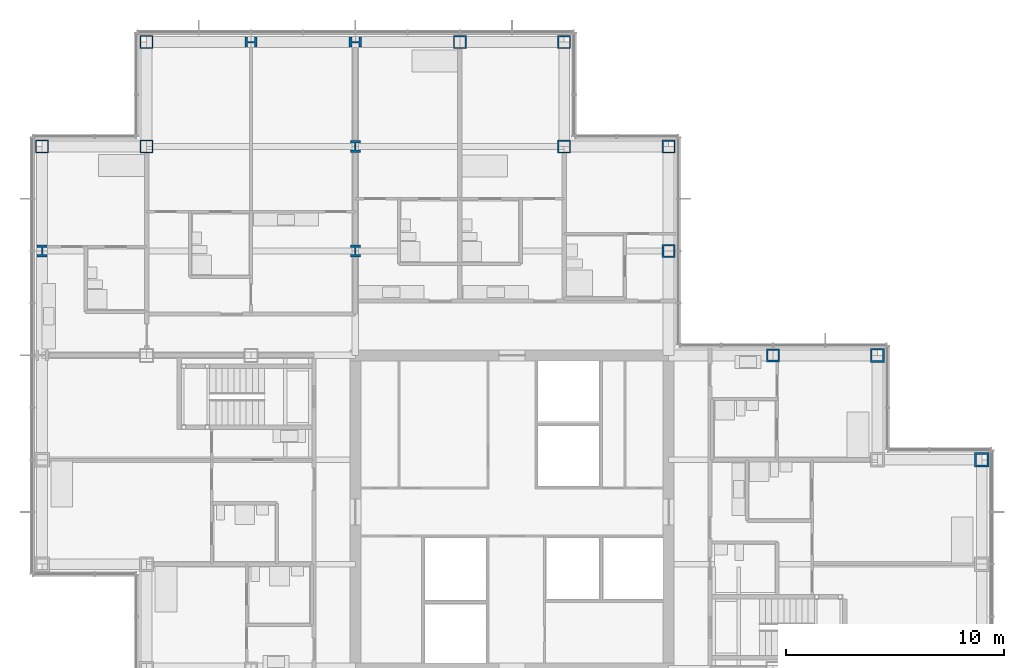
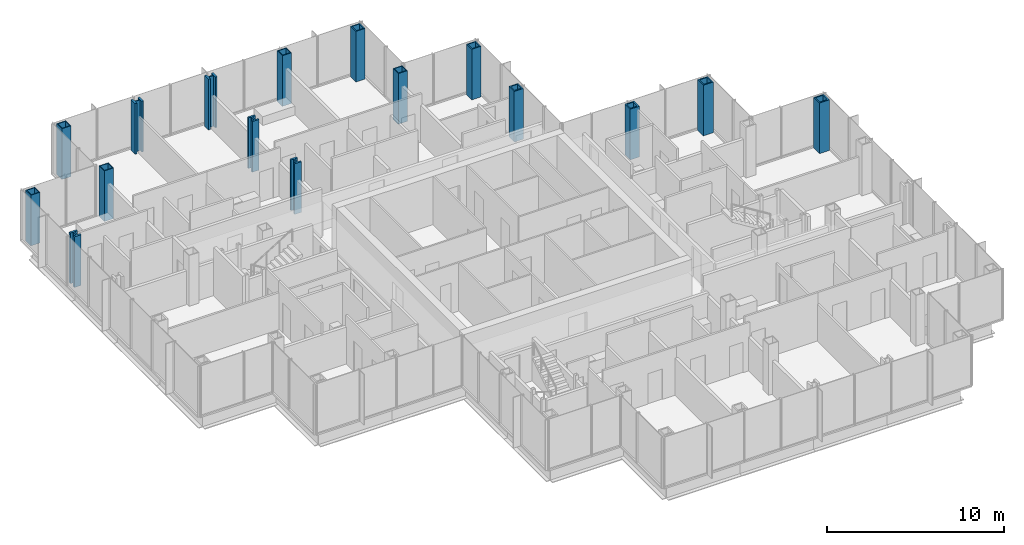
# One storey, part 5 of 20: 16 columns.
"""IFC4 building model written with IfcOpenShell, lengths in metres."""

from ifc_helpers import new_model, si_unit, direction, frame, origin, origin_2d, place, context, subcontext, project, spatial, hollow_rectangle, i_section, extrude, material, material_profile, profile_set, type_object, element, save


model = new_model("IFC4")

# Units and contexts
model_context = context("Model", 3, precision=1e-05, world=origin(), true_north=direction((0.0, 1.0)))
body_context = subcontext(model_context, "Body", "Model", "MODEL_VIEW")
ifc_project = project(units=[si_unit("LENGTHUNIT", "METRE"), si_unit("AREAUNIT", "SQUARE_METRE"), si_unit("VOLUMEUNIT", "CUBIC_METRE"), si_unit("PLANEANGLEUNIT", "RADIAN"), si_unit("MASSUNIT", "GRAM", prefix="KILO")], contexts=[model_context])

# Site, building, storey
site_placement = place(None, origin())
site = spatial("IfcSite", under=ifc_project, at=site_placement, CompositionType="ELEMENT")
building_placement = place(site_placement, origin())
building = spatial("IfcBuilding", under=site, at=building_placement, Name="Kvirike Care Tower", CompositionType="ELEMENT")
storey_placement = place(building_placement, frame((0.0, 0.0, 101.5)))
storey = spatial("IfcBuildingStorey", under=building, at=storey_placement, Name="L27", CompositionType="ELEMENT", Elevation=101.5)

# Columns
ifc_material_1 = material(Name="Steel S460", Category="steel")
ifc_material_profile_1 = material_profile(ifc_material_1, hollow_rectangle(XDim=0.60009765625, YDim=0.60009765625, WallThickness=0.050048828125, at=origin_2d()), Name="BX 600x600x50")
ifc_profile_set_1 = profile_set([ifc_material_profile_1], Name="Steel S460")
column_type_1 = type_object("IfcColumnType", Name="COLUMN BX 600x600x50", PredefinedType="COLUMN", material=ifc_profile_set_1)
for number, where, z_axis, x_axis, name in (
    (1, (0.0, 52.800048828125, 0.0), (0.0, 0.0, 1.0), (0.0, 1.0, 0.0), "Column M3 L27"),
    (2, (4.800048828125, 52.800048828125, 0.0), (0.0, 0.0, 1.0), (0.0, 1.0, 0.0), "Column M4 L27"),
    (3, (4.800048828125, 57.60009765625, 0.0), (0.0, 0.0, 1.0), (0.0, 1.0, 0.0), "Column N4 L27"),
):
    element("IfcColumn", number, at=place(storey_placement, frame(where, z_axis=z_axis, x_axis=x_axis)), inside=storey, type_object=column_type_1, Name=name, PredefinedType="COLUMN", context=body_context, shape_type="SweptSolid", body=[
        extrude(hollow_rectangle(XDim=0.60009765625, YDim=0.60009765625, WallThickness=0.050048828125, at=origin_2d()), origin(), (0.0, 0.0, 1.0), 3.5),
    ])
ifc_material_2 = material(Name="Steel S460", Category="steel")
ifc_material_profile_2 = material_profile(ifc_material_2, hollow_rectangle(XDim=0.60009765625, YDim=0.60009765625, WallThickness=0.06005859375, at=origin_2d()), Name="BX 600x600x60")
ifc_profile_set_2 = profile_set([ifc_material_profile_2], Name="Steel S460")
column_type_2 = type_object("IfcColumnType", Name="COLUMN BX 600x600x60", PredefinedType="COLUMN", material=ifc_profile_set_2)
for number, where, z_axis, x_axis, name in (
    (4, (19.199951171875, 57.60009765625, 0.0), (0.0, 0.0, 1.0), (0.0, 1.0, 0.0), "Column N7 L27"),
    (5, (24.0, 52.800048828125, 0.0), (0.0, 0.0, 1.0), (0.0, 1.0, 0.0), "Column M8 L27"),
    (6, (24.0, 57.60009765625, 0.0), (0.0, 0.0, 1.0), (0.0, 1.0, 0.0), "Column N8 L27"),
    (7, (28.800048828125, 52.800048828125, 0.0), (0.0, 0.0, 1.0), (0.0, 1.0, 0.0), "Column M9 L27"),
):
    element("IfcColumn", number, at=place(storey_placement, frame(where, z_axis=z_axis, x_axis=x_axis)), inside=storey, type_object=column_type_2, Name=name, PredefinedType="COLUMN", context=body_context, shape_type="SweptSolid", body=[
        extrude(hollow_rectangle(XDim=0.60009765625, YDim=0.60009765625, WallThickness=0.06005859375, at=origin_2d()), origin(), (0.0, 0.0, 1.0), 3.5),
    ])
ifc_material_3 = material(Name="Steel S460", Category="steel")
ifc_material_profile_3 = material_profile(ifc_material_3, hollow_rectangle(XDim=0.60009765625, YDim=0.60009765625, WallThickness=0.080078125, at=origin_2d()), Name="BX 600x600x80")
ifc_profile_set_3 = profile_set([ifc_material_profile_3], Name="Steel S460")
column_type_3 = type_object("IfcColumnType", Name="COLUMN BX 600x600x80", PredefinedType="COLUMN", material=ifc_profile_set_3)
for number, where, z_axis, x_axis, name in (
    (8, (28.800048828125, 48.0, 0.0), (0.0, 0.0, 1.0), (1.0, 0.0, 0.0), "Column L9 L27"),
    (9, (33.60009765625, 43.199951171875, 0.0), (0.0, 0.0, 1.0), (0.0, 1.0, 0.0), "Column K10 L27"),
):
    element("IfcColumn", number, at=place(storey_placement, frame(where, z_axis=z_axis, x_axis=x_axis)), inside=storey, type_object=column_type_3, Name=name, PredefinedType="COLUMN", context=body_context, shape_type="SweptSolid", body=[
        extrude(hollow_rectangle(XDim=0.60009765625, YDim=0.60009765625, WallThickness=0.080078125, at=origin_2d()), origin(), (0.0, 0.0, 1.0), 3.5),
    ])
ifc_material_4 = material(Name="Steel S460", Category="steel")
ifc_material_profile_4 = material_profile(ifc_material_4, hollow_rectangle(XDim=0.64990234375, YDim=0.64990234375, WallThickness=0.080078125, at=origin_2d()), Name="BX 650x650x80")
ifc_profile_set_4 = profile_set([ifc_material_profile_4], Name="Steel S460")
column_type_4 = type_object("IfcColumnType", Name="COLUMN BX 650x650x80", PredefinedType="COLUMN", material=ifc_profile_set_4)
for number, where, z_axis, x_axis, name in (
    (10, (38.39990234375, 43.199951171875, 0.0), (0.0, 0.0, 1.0), (0.0, 1.0, 0.0), "Column K11 L27"),
    (11, (43.199951171875, 38.39990234375, 0.0), (0.0, 0.0, 1.0), (0.0, 1.0, 0.0), "Column J12 L27"),
):
    element("IfcColumn", number, at=place(storey_placement, frame(where, z_axis=z_axis, x_axis=x_axis)), inside=storey, type_object=column_type_4, Name=name, PredefinedType="COLUMN", context=body_context, shape_type="SweptSolid", body=[
        extrude(hollow_rectangle(XDim=0.64990234375, YDim=0.64990234375, WallThickness=0.080078125, at=origin_2d()), origin(), (0.0, 0.0, 1.0), 3.5),
    ])
ifc_material_5 = material(Name="Steel S460", Category="steel")
ifc_material_profile_5 = material_profile(ifc_material_5, i_section(OverallWidth=0.4541015625, OverallDepth=0.569091796875, WebThickness=0.077880859375, FlangeThickness=0.125, FilletRadius=0.014892578125, at=origin_2d()), Name="HD 400x1086")
ifc_profile_set_5 = profile_set([ifc_material_profile_5], Name="Steel S460")
column_type_5 = type_object("IfcColumnType", Name="COLUMN HD 400x1086", PredefinedType="COLUMN", material=ifc_profile_set_5)
for number, where, z_axis, x_axis, name in (
    (12, (0.0, 48.0, 0.0), (0.0, 0.0, 1.0), (1.0, 0.0, 0.0), "Column L3 L27"),
    (13, (9.60009765625, 57.60009765625, 0.0), (0.0, 0.0, 1.0), (0.0, 1.0, 0.0), "Column N5 L27"),
    (14, (14.39990234375, 57.60009765625, 0.0), (0.0, 0.0, 1.0), (0.0, 1.0, 0.0), "Column N6 L27"),
):
    element("IfcColumn", number, at=place(storey_placement, frame(where, z_axis=z_axis, x_axis=x_axis)), inside=storey, type_object=column_type_5, Name=name, PredefinedType="COLUMN", context=body_context, shape_type="SweptSolid", body=[
        extrude(i_section(OverallWidth=0.4541015625, OverallDepth=0.569091796875, WebThickness=0.077880859375, FlangeThickness=0.125, FilletRadius=0.014892578125, at=origin_2d()), origin(), (0.0, 0.0, 1.0), 3.5),
    ])
ifc_material_6 = material(Name="Steel S460", Category="steel")
ifc_material_profile_6 = material_profile(ifc_material_6, i_section(OverallWidth=0.447998046875, OverallDepth=0.550048828125, WebThickness=0.072021484375, FlangeThickness=0.114990234375, FilletRadius=0.014892578125, at=origin_2d()), Name="HD 400x990")
ifc_profile_set_6 = profile_set([ifc_material_profile_6], Name="Steel S460")
column_type_6 = type_object("IfcColumnType", Name="COLUMN HD 400x990", PredefinedType="COLUMN", material=ifc_profile_set_6)
for number, where, z_axis, x_axis, name in (
    (15, (14.39990234375, 48.0, 0.0), (0.0, 0.0, 1.0), (1.0, 0.0, 0.0), "Column L6 L27"),
    (16, (14.39990234375, 52.800048828125, 0.0), (0.0, 0.0, 1.0), (1.0, 0.0, 0.0), "Column M6 L27"),
):
    element("IfcColumn", number, at=place(storey_placement, frame(where, z_axis=z_axis, x_axis=x_axis)), inside=storey, type_object=column_type_6, Name=name, PredefinedType="COLUMN", context=body_context, shape_type="SweptSolid", body=[
        extrude(i_section(OverallWidth=0.447998046875, OverallDepth=0.550048828125, WebThickness=0.072021484375, FlangeThickness=0.114990234375, FilletRadius=0.014892578125, at=origin_2d()), origin(), (0.0, 0.0, 1.0), 3.5),
    ])

save(model, "model.ifc")
